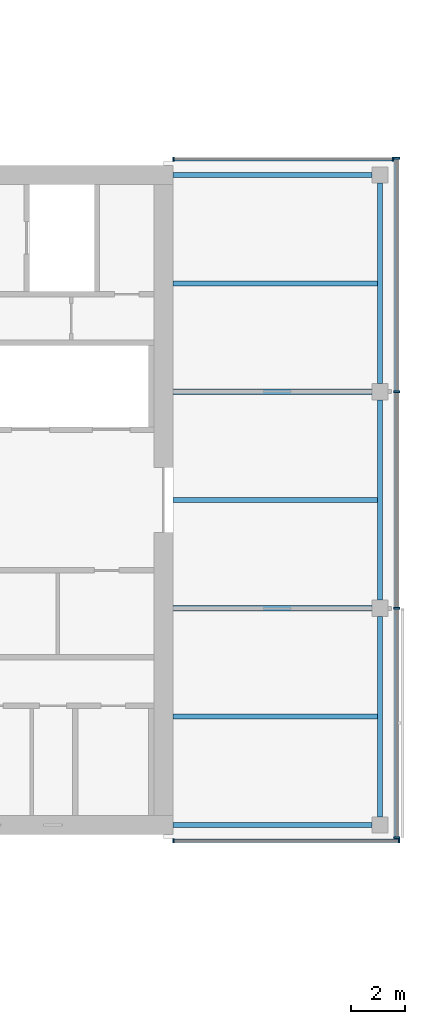
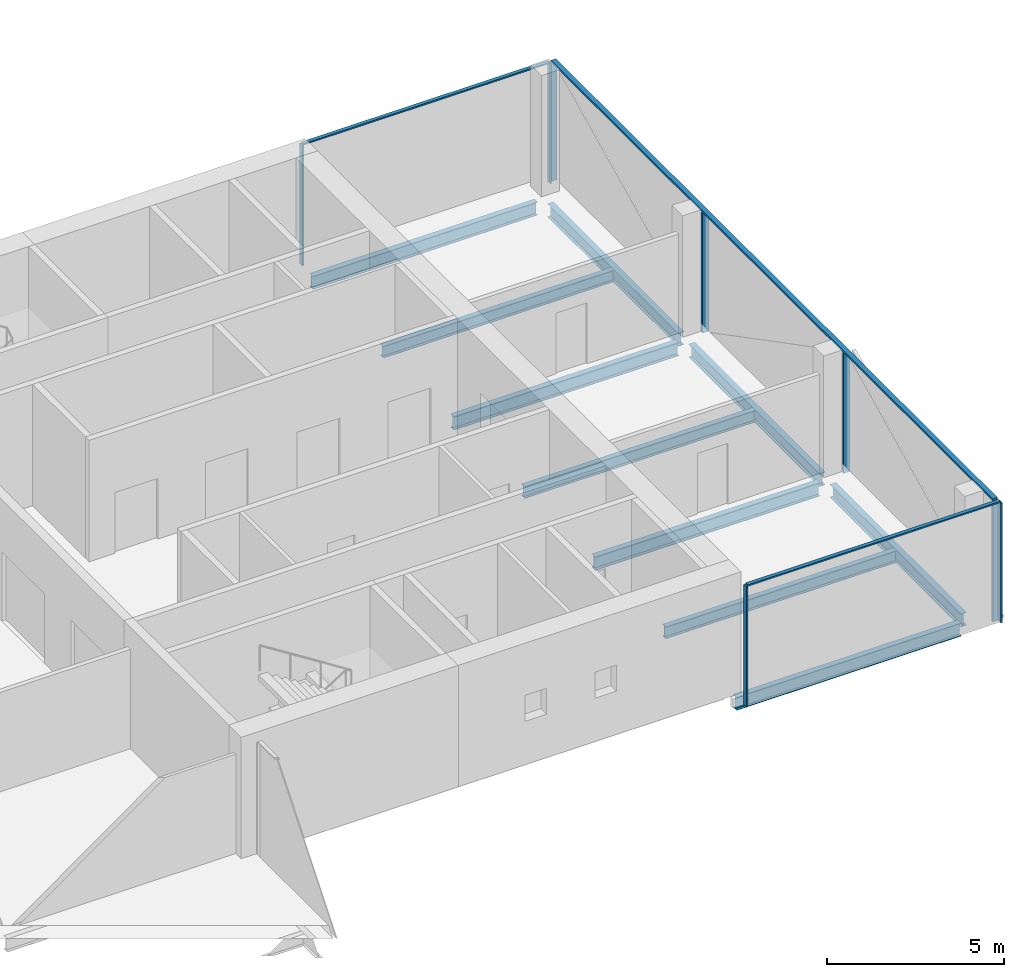
# One storey, part 11 of 22: 11 members, 10 beams, 3 elements without a shape of their own.
"""IFC4 building model written with IfcOpenShell, lengths in metres."""

from ifc_helpers import new_model, si_unit, direction, frame, origin, origin_2d, place, context, subcontext, project, spatial, rectangle, i_section, extrude, material, material_profile, profile_set, type_object, element, aggregate, save


model = new_model("IFC4")

# Units and contexts
model_context = context("Model", 3, precision=1e-05, world=origin(), true_north=direction((0.0, 1.0)))
body_context = subcontext(model_context, "Body", "Model", "MODEL_VIEW")
ifc_project = project(units=[si_unit("LENGTHUNIT", "METRE"), si_unit("AREAUNIT", "SQUARE_METRE"), si_unit("VOLUMEUNIT", "CUBIC_METRE"), si_unit("PLANEANGLEUNIT", "RADIAN"), si_unit("MASSUNIT", "GRAM", prefix="KILO")], contexts=[model_context])

# Site, building, storey
site_placement = place(None, origin())
site = spatial("IfcSite", under=ifc_project, at=site_placement, CompositionType="ELEMENT")
building_placement = place(site_placement, origin())
building = spatial("IfcBuilding", under=site, at=building_placement, Name="Crosswind Convention Tower", CompositionType="ELEMENT")
storey_placement = place(building_placement, frame((0.0, 0.0, 137.89990234375)))
storey = spatial("IfcBuildingStorey", under=building, at=storey_placement, Name="L28", CompositionType="ELEMENT", Elevation=137.89990234375)

# Beams
ifc_material_1 = material(Name="Steel S355", Category="steel")
ifc_material_profile_1 = material_profile(ifc_material_1, i_section(OverallWidth=0.18994140625, OverallDepth=0.45361328125, WebThickness=0.008544921875, FlangeThickness=0.0126953125, FilletRadius=0.01025390625, at=origin_2d()), Name="UB 457x191x67")
ifc_profile_set_1 = profile_set([ifc_material_profile_1], Name="Steel S355")
beam_type_1 = type_object("IfcBeamType", Name="Edge beam UB 457x191x67", PredefinedType="SPANDREL", material=ifc_profile_set_1)
for number, where, z_axis, x_axis, name in (
    (1, (153.35009765625, 88.0, -0.526611328125), (1.0, 0.0, 0.0), (0.0, 1.0, 0.0), "B16 L28 edge beam 20"),
    (2, (153.35009765625, 112.0, -0.526611328125), (1.0, 0.0, 0.0), (0.0, 1.0, 0.0), "B16 L28 edge beam 21"),
):
    element("IfcBeam", number, at=place(storey_placement, frame(where, z_axis=z_axis, x_axis=x_axis)), inside=storey, type_object=beam_type_1, Name=name, PredefinedType="SPANDREL", context=body_context, shape_type="SweptSolid", body=[
        extrude(i_section(OverallWidth=0.18994140625, OverallDepth=0.45361328125, WebThickness=0.008544921875, FlangeThickness=0.0126953125, FilletRadius=0.01025390625, at=origin_2d()), origin(), (0.0, 0.0, 1.0), 7.349853515625),
    ])
for number, where, z_axis, x_axis, name in (
    (3, (161.0, 88.300048828125, -0.526611328125), (0.0, 1.0, 0.0), (-1.0, 0.0, 0.0), "B16 L28 edge beam 22"),
    (4, (161.0, 96.300048828125, -0.526611328125), (0.0, 1.0, 0.0), (-1.0, 0.0, 0.0), "B16 L28 edge beam 23"),
    (5, (161.0, 104.300048828125, -0.526611328125), (0.0, 1.0, 0.0), (-1.0, 0.0, 0.0), "B16 L28 edge beam 24"),
):
    element("IfcBeam", number, at=place(storey_placement, frame(where, z_axis=z_axis, x_axis=x_axis)), inside=storey, type_object=beam_type_1, Name=name, PredefinedType="SPANDREL", context=body_context, shape_type="SweptSolid", body=[
        extrude(i_section(OverallWidth=0.18994140625, OverallDepth=0.45361328125, WebThickness=0.008544921875, FlangeThickness=0.0126953125, FilletRadius=0.01025390625, at=origin_2d()), origin(), (0.0, 0.0, 1.0), 7.39990234375),
    ])
ifc_material_profile_2 = material_profile(ifc_material_1, i_section(OverallWidth=0.19189453125, OverallDepth=0.463623046875, WebThickness=0.010498046875, FlangeThickness=0.017578125, FilletRadius=0.01025390625, at=origin_2d()), Name="UB 457x191x90")
ifc_profile_set_2 = profile_set([ifc_material_profile_2], Name="Steel S355")
beam_type_2 = type_object("IfcBeamType", Name="Girder at core wall UB 457x191x90", PredefinedType="BEAM", material=ifc_profile_set_2)
for number, where, z_axis, x_axis, name in (
    (6, (153.35009765625, 96.0, -0.53173828125), (1.0, 0.0, 0.0), (0.0, 1.0, 0.0), "B24 L28 girder at core wall 11"),
    (7, (153.35009765625, 104.0, -0.53173828125), (1.0, 0.0, 0.0), (0.0, 1.0, 0.0), "B24 L28 girder at core wall 12"),
):
    element("IfcBeam", number, at=place(storey_placement, frame(where, z_axis=z_axis, x_axis=x_axis)), inside=storey, type_object=beam_type_2, Name=name, PredefinedType="BEAM", context=body_context, shape_type="SweptSolid", body=[
        extrude(i_section(OverallWidth=0.19189453125, OverallDepth=0.463623046875, WebThickness=0.010498046875, FlangeThickness=0.017578125, FilletRadius=0.01025390625, at=origin_2d()), origin(), (0.0, 0.0, 1.0), 7.349853515625),
    ])

# Curtain wall, members
ifc_material_2 = material(Name="Aluminium unitised curtain wall", Category="aluminium")
curtain_wall_type_1 = type_object("IfcCurtainWallType", Name="CORE END SLOT WALL 160", PredefinedType="USERDEFINED", material=ifc_material_2)
curtain_wall_1_placement = place(storey_placement, origin())
curtain_wall_1 = element("IfcCurtainWall", 8, at=curtain_wall_1_placement, inside=storey, type_object=curtain_wall_type_1, Name="CW6 L28 E-N.1-1 slot", ObjectType="UNITISED", PredefinedType="USERDEFINED")
ifc_material_3 = material(Name="Aluminium mullion", Category="aluminium")
ifc_material_profile_3 = material_profile(ifc_material_3, rectangle(XDim=0.159912109375, YDim=0.050048828125, at=origin_2d()), Name="AL 160X50")
ifc_profile_set_3 = profile_set([ifc_material_profile_3], Name="Aluminium mullion")
member_type_1 = type_object("IfcMemberType", Name="MULLION 50X160", PredefinedType="MULLION", material=ifc_profile_set_3)
member_1_placement = place(storey_placement, frame((161.47509765625, 112.580078125, -0.2998046875), z_axis=(0.0, 0.0, 1.0), x_axis=(0.0, 1.0, 0.0)))
member_1 = element("IfcMember", 9, at=member_1_placement, type_object=member_type_1, Name="CW6 mullion 1", PredefinedType="MULLION", context=body_context, shape_type="SweptSolid", body=[
    extrude(rectangle(XDim=0.159912109375, YDim=0.050048828125, at=origin_2d()), origin(), (0.0, 0.0, 1.0), 4.14990234375),
])
member_2_placement = place(storey_placement, frame((153.375, 112.580078125, -0.2998046875), z_axis=(0.0, 0.0, 1.0), x_axis=(0.0, 1.0, 0.0)))
member_2 = element("IfcMember", 10, at=member_2_placement, type_object=member_type_1, Name="CW6 mullion 2", PredefinedType="MULLION", context=body_context, shape_type="SweptSolid", body=[
    extrude(rectangle(XDim=0.159912109375, YDim=0.050048828125, at=origin_2d()), origin(), (0.0, 0.0, 1.0), 4.14990234375),
])

curtain_wall_2_placement = place(storey_placement, origin())
curtain_wall_2 = element("IfcCurtainWall", 11, at=curtain_wall_2_placement, inside=storey, type_object=curtain_wall_type_1, Name="CW6 L28 E-S.2-1 slot", ObjectType="UNITISED", PredefinedType="USERDEFINED")
member_3_placement = place(storey_placement, frame((153.375, 87.419921875, -0.2998046875), z_axis=(0.0, 0.0, 1.0), x_axis=(0.0, -1.0, 0.0)))
member_3 = element("IfcMember", 12, at=member_3_placement, type_object=member_type_1, Name="CW6 mullion 1", PredefinedType="MULLION", context=body_context, shape_type="SweptSolid", body=[
    extrude(rectangle(XDim=0.159912109375, YDim=0.050048828125, at=origin_2d()), origin(), (0.0, 0.0, 1.0), 4.14990234375),
])
member_4_placement = place(storey_placement, frame((161.695068359375, 87.419921875, -0.2998046875), z_axis=(0.0, 0.0, 1.0), x_axis=(0.0, -1.0, 0.0)))
member_4 = element("IfcMember", 13, at=member_4_placement, type_object=member_type_1, Name="CW6 mullion 2", PredefinedType="MULLION", context=body_context, shape_type="SweptSolid", body=[
    extrude(rectangle(XDim=0.159912109375, YDim=0.050048828125, at=origin_2d()), origin(), (0.0, 0.0, 1.0), 4.14990234375),
])

curtain_wall_type_2 = type_object("IfcCurtainWallType", Name="OFFICE UNITISED WALL 220", PredefinedType="USERDEFINED", material=ifc_material_2)
curtain_wall_3_placement = place(storey_placement, origin())
curtain_wall_3 = element("IfcCurtainWall", 14, at=curtain_wall_3_placement, inside=storey, type_object=curtain_wall_type_2, Name="CW3 L28 E-TIP 1", ObjectType="UNITISED", PredefinedType="USERDEFINED")
ifc_material_profile_4 = material_profile(ifc_material_3, rectangle(XDim=0.219970703125, YDim=0.070068359375, at=origin_2d()), Name="AL 220X70")
ifc_profile_set_4 = profile_set([ifc_material_profile_4], Name="Aluminium mullion")
member_type_2 = type_object("IfcMemberType", Name="MULLION 70X220", PredefinedType="MULLION", material=ifc_profile_set_4)
member_5_placement = place(storey_placement, frame((161.610107421875, 87.534912109375, -0.2998046875), z_axis=(0.0, 0.0, 1.0), x_axis=(1.0, 0.0, 0.0)))
member_5 = element("IfcMember", 15, at=member_5_placement, type_object=member_type_2, Name="CW3 mullion 1", PredefinedType="MULLION", context=body_context, shape_type="SweptSolid", body=[
    extrude(rectangle(XDim=0.219970703125, YDim=0.070068359375, at=origin_2d()), origin(), (0.0, 0.0, 1.0), 4.1298828125),
])
member_6_placement = place(storey_placement, frame((161.610107421875, 96.0, -0.2998046875), z_axis=(0.0, 0.0, 1.0), x_axis=(1.0, 0.0, 0.0)))
member_6 = element("IfcMember", 16, at=member_6_placement, type_object=member_type_2, Name="CW3 mullion 2", PredefinedType="MULLION", context=body_context, shape_type="SweptSolid", body=[
    extrude(rectangle(XDim=0.219970703125, YDim=0.070068359375, at=origin_2d()), origin(), (0.0, 0.0, 1.0), 4.1298828125),
])
member_7_placement = place(storey_placement, frame((161.610107421875, 104.0, -0.2998046875), z_axis=(0.0, 0.0, 1.0), x_axis=(1.0, 0.0, 0.0)))
member_7 = element("IfcMember", 17, at=member_7_placement, type_object=member_type_2, Name="CW3 mullion 3", PredefinedType="MULLION", context=body_context, shape_type="SweptSolid", body=[
    extrude(rectangle(XDim=0.219970703125, YDim=0.070068359375, at=origin_2d()), origin(), (0.0, 0.0, 1.0), 4.1298828125),
])
member_8_placement = place(storey_placement, frame((161.610107421875, 112.625, -0.2998046875), z_axis=(0.0, 0.0, 1.0), x_axis=(1.0, 0.0, 0.0)))
member_8 = element("IfcMember", 18, at=member_8_placement, type_object=member_type_2, Name="CW3 mullion 4", PredefinedType="MULLION", context=body_context, shape_type="SweptSolid", body=[
    extrude(rectangle(XDim=0.219970703125, YDim=0.070068359375, at=origin_2d()), origin(), (0.0, 0.0, 1.0), 4.1298828125),
])

# Beams
ifc_material_profile_5 = material_profile(ifc_material_1, i_section(OverallWidth=0.177734375, OverallDepth=0.406494140625, WebThickness=0.0078125, FlangeThickness=0.0126953125, FilletRadius=0.01025390625, at=origin_2d()), Name="UB 406x178x60")
ifc_profile_set_5 = profile_set([ifc_material_profile_5], Name="Steel S355")
beam_type_3 = type_object("IfcBeamType", Name="Secondary beam UB 406x178x60", PredefinedType="JOIST", material=ifc_profile_set_5)
for number, where, z_axis, x_axis, name in (
    (19, (153.35009765625, 92.0, -0.503173828125), (1.0, 0.0, 0.0), (0.0, 1.0, 0.0), "B10 L28 secondary beam 25"),
    (20, (153.35009765625, 100.0, -0.503173828125), (1.0, 0.0, 0.0), (0.0, 1.0, 0.0), "B10 L28 secondary beam 26"),
    (21, (153.35009765625, 108.0, -0.503173828125), (1.0, 0.0, 0.0), (0.0, 1.0, 0.0), "B10 L28 secondary beam 27"),
):
    element("IfcBeam", number, at=place(storey_placement, frame(where, z_axis=z_axis, x_axis=x_axis)), inside=storey, type_object=beam_type_3, Name=name, PredefinedType="JOIST", context=body_context, shape_type="SweptSolid", body=[
        extrude(i_section(OverallWidth=0.177734375, OverallDepth=0.406494140625, WebThickness=0.0078125, FlangeThickness=0.0126953125, FilletRadius=0.01025390625, at=origin_2d()), origin(), (0.0, 0.0, 1.0), 7.554931640625),
    ])

# Member
ifc_material_4 = material(Name="Aluminium transom", Category="aluminium")
ifc_material_profile_6 = material_profile(ifc_material_4, rectangle(XDim=0.1201171875, YDim=0.050048828125, at=origin_2d()), Name="AL 120X50")
ifc_profile_set_6 = profile_set([ifc_material_profile_6], Name="Aluminium transom")
member_type_3 = type_object("IfcMemberType", Name="TRANSOM 50X120", PredefinedType="USERDEFINED", material=ifc_profile_set_6)
member_9_placement = place(storey_placement, frame((161.449951171875, 112.580078125, 3.875), z_axis=(-1.0, 0.0, 0.0), x_axis=(0.0, -1.0, 0.0)))
member_9 = element("IfcMember", 22, at=member_9_placement, type_object=member_type_3, Name="CW6 transom", ObjectType="TRANSOM", PredefinedType="USERDEFINED", context=body_context, shape_type="SweptSolid", body=[
    extrude(rectangle(XDim=0.1201171875, YDim=0.050048828125, at=origin_2d()), origin(), (0.0, 0.0, 1.0), 8.050048828125),
])

aggregate(curtain_wall_1, [member_1, member_2, member_9])

member_10_placement = place(storey_placement, frame((153.39990234375, 87.419921875, 3.875), z_axis=(1.0, 0.0, 0.0), x_axis=(0.0, 1.0, 0.0)))
member_10 = element("IfcMember", 23, at=member_10_placement, type_object=member_type_3, Name="CW6 transom", ObjectType="TRANSOM", PredefinedType="USERDEFINED", context=body_context, shape_type="SweptSolid", body=[
    extrude(rectangle(XDim=0.1201171875, YDim=0.050048828125, at=origin_2d()), origin(), (0.0, 0.0, 1.0), 8.27001953125),
])

aggregate(curtain_wall_2, [member_3, member_4, member_10])

ifc_material_profile_7 = material_profile(ifc_material_4, rectangle(XDim=0.159912109375, YDim=0.070068359375, at=origin_2d()), Name="AL 160X70")
ifc_profile_set_7 = profile_set([ifc_material_profile_7], Name="Aluminium transom")
member_type_4 = type_object("IfcMemberType", Name="TRANSOM 70X160", PredefinedType="USERDEFINED", material=ifc_profile_set_7)
member_11_placement = place(storey_placement, frame((161.610107421875, 87.570068359375, 3.864990234375), z_axis=(0.0, 1.0, 0.0), x_axis=(-1.0, 0.0, 0.0)))
member_11 = element("IfcMember", 24, at=member_11_placement, type_object=member_type_4, Name="CW3 transom", ObjectType="TRANSOM", PredefinedType="USERDEFINED", context=body_context, shape_type="SweptSolid", body=[
    extrude(rectangle(XDim=0.159912109375, YDim=0.070068359375, at=origin_2d()), origin(), (0.0, 0.0, 1.0), 25.02001953125),
])

aggregate(curtain_wall_3, [member_5, member_6, member_7, member_8, member_11])

save(model, "model.ifc")
